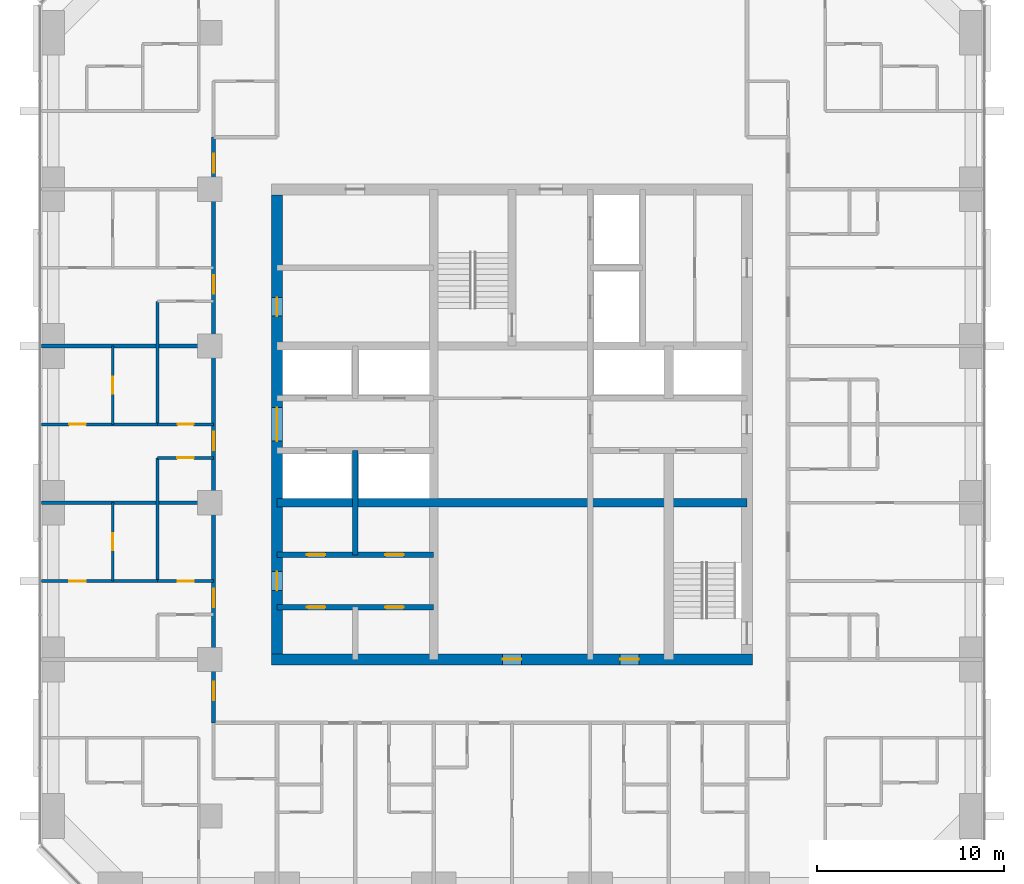
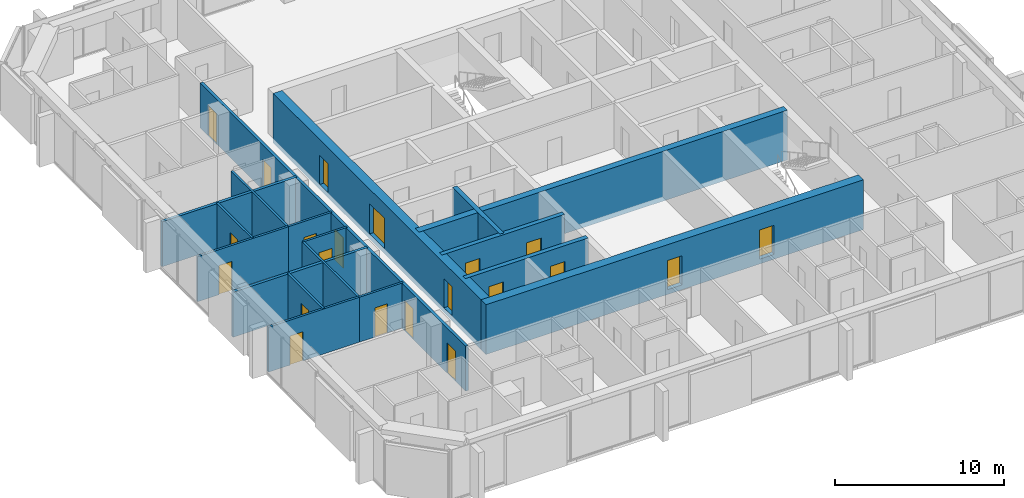
# One storey, part 9 of 14: 21 doors, 18 walls, 21 openings.
"""IFC4 building model written with IfcOpenShell, lengths in metres."""

from ifc_helpers import new_model, si_unit, direction, frame, frame_2d, origin, place, context, subcontext, project, spatial, rectangle, extrude, material, layer, layer_set, type_object, element, fill, save


model = new_model("IFC4")

# Units and contexts
model_context = context("Model", 3, precision=1e-05, world=origin(), true_north=direction((0.0, 1.0)))
body_context = subcontext(model_context, "Body", "Model", "MODEL_VIEW")
ifc_project = project(units=[si_unit("LENGTHUNIT", "METRE"), si_unit("AREAUNIT", "SQUARE_METRE"), si_unit("VOLUMEUNIT", "CUBIC_METRE"), si_unit("PLANEANGLEUNIT", "RADIAN"), si_unit("MASSUNIT", "GRAM", prefix="KILO")], contexts=[model_context])

# Site, building, storey
site_placement = place(None, origin())
site = spatial("IfcSite", under=ifc_project, at=site_placement, CompositionType="ELEMENT")
building_placement = place(site_placement, origin())
building = spatial("IfcBuilding", under=site, at=building_placement, Name="Dunama Terrace Hotel", CompositionType="ELEMENT")
storey_placement = place(building_placement, frame((0.0, 0.0, 198.60009765625)))
storey = spatial("IfcBuildingStorey", under=building, at=storey_placement, Name="L51", CompositionType="ELEMENT", Elevation=198.60009765625)

# Wall, opening, door
ifc_material_1 = material(Name="Gypsum board partition", Category="masonry")
ifc_layer_1 = layer(ifc_material_1, 0.14990234375)
ifc_layer_set_1 = layer_set([ifc_layer_1], Name="Bathroom partition 150")
wall_type_1 = type_object("IfcWallType", Name="Bathroom partition 150", PredefinedType="PARTITIONING", material=ifc_layer_set_1)
wall_1_placement = place(storey_placement, frame((10.39990234375, 21.0, 0.0), z_axis=(0.0, 0.0, 1.0), x_axis=(1.0, 0.0, 0.0)))
wall_1 = element("IfcWall", 1, at=wall_1_placement, inside=storey, type_object=wall_type_1, Name="Bathroom partition 150 L51", PredefinedType="PARTITIONING", context=body_context, shape_type="SweptSolid", body=[
    extrude(rectangle(XDim=3.0, YDim=0.14990234375, at=frame_2d((1.5, 0.0))), origin(), (0.0, 0.0, 1.0), 3.25),
])
opening_1_placement = place(wall_1_placement, frame((1.074951171875, 0.0, 0.0)))
opening_1 = element("IfcOpeningElement", 2, at=opening_1_placement, cuts=wall_1, Name="Opening L51-52-040", PredefinedType="OPENING", context=body_context, shape_type="SweptSolid", body=[
    extrude(rectangle(XDim=0.85009765625, YDim=2.10009765625, at=frame_2d((0.425048828125, 1.050048828125))), frame((0.0, 0.0849609375, 0.0), z_axis=(0.0, -1.0, 0.0), x_axis=(1.0, 0.0, 0.0)), (0.0, 0.0, 1.0), 0.169921875),
])
ifc_material_2 = material(Name="Timber door with steel frame", Category="steel")
door_type_1 = type_object("IfcDoorType", Name="Bathroom door 850", OperationType="SINGLE_SWING_LEFT", PredefinedType="DOOR", material=ifc_material_2)
door_1_placement = place(opening_1_placement, origin())
door_1 = element("IfcDoor", 3, at=door_1_placement, inside=storey, type_object=door_type_1, Name="Door to diplomatic residence bathroom L51-52-040, type D2", OperationType="SINGLE_SWING_RIGHT", OverallHeight=2.10009765625, OverallWidth=0.85009765625, PredefinedType="DOOR", context=body_context, shape_type="SweptSolid", body=[
    extrude(rectangle(XDim=0.85009765625, YDim=2.10009765625, at=frame_2d((0.425048828125, 1.050048828125))), frame((0.0, 0.02490234375, 0.0), z_axis=(0.0, -1.0, 0.0), x_axis=(1.0, 0.0, 0.0)), (0.0, 0.0, 1.0), 0.050048828125),
])
fill(opening_1, door_1)

wall_2_placement = place(storey_placement, frame((10.39990234375, 29.39990234375, 0.0), z_axis=(0.0, 0.0, 1.0), x_axis=(1.0, 0.0, 0.0)))
wall_2 = element("IfcWall", 4, at=wall_2_placement, inside=storey, type_object=wall_type_1, Name="Bathroom partition 150 L51", PredefinedType="PARTITIONING", context=body_context, shape_type="SweptSolid", body=[
    extrude(rectangle(XDim=3.0, YDim=0.14990234375, at=frame_2d((1.5, 0.0))), origin(), (0.0, 0.0, 1.0), 3.25),
])
opening_2_placement = place(wall_2_placement, frame((1.074951171875, 0.0, 0.0)))
opening_2 = element("IfcOpeningElement", 5, at=opening_2_placement, cuts=wall_2, Name="Opening L51-52-045", PredefinedType="OPENING", context=body_context, shape_type="SweptSolid", body=[
    extrude(rectangle(XDim=0.85009765625, YDim=2.10009765625, at=frame_2d((0.425048828125, 1.050048828125))), frame((0.0, 0.0849609375, 0.0), z_axis=(0.0, -1.0, 0.0), x_axis=(1.0, 0.0, 0.0)), (0.0, 0.0, 1.0), 0.169921875),
])
door_2_placement = place(opening_2_placement, origin())
door_2 = element("IfcDoor", 6, at=door_2_placement, inside=storey, type_object=door_type_1, Name="Door to diplomatic residence bathroom L51-52-045, type D2", OperationType="SINGLE_SWING_RIGHT", OverallHeight=2.10009765625, OverallWidth=0.85009765625, PredefinedType="DOOR", context=body_context, shape_type="SweptSolid", body=[
    extrude(rectangle(XDim=0.85009765625, YDim=2.10009765625, at=frame_2d((0.425048828125, 1.050048828125))), frame((0.0, 0.02490234375, 0.0), z_axis=(0.0, -1.0, 0.0), x_axis=(1.0, 0.0, 0.0)), (0.0, 0.0, 1.0), 0.050048828125),
])
fill(opening_2, door_2)

# Wall
ifc_material_3 = material(Name="Concrete C50/60", Category="concrete")
ifc_layer_2 = layer(ifc_material_3, 0.300048828125)
ifc_layer_set_2 = layer_set([ifc_layer_2], Name="Core inner wall 300")
wall_type_2 = type_object("IfcWallType", Name="Core inner wall 300", PredefinedType="SHEAR", material=ifc_layer_set_2)
wall_3_placement = place(storey_placement, frame((21.0, 22.39990234375, -0.35009765625), z_axis=(0.0, 0.0, 1.0), x_axis=(0.0, 1.0, 0.0)))
element("IfcWall", 7, at=wall_3_placement, inside=storey, type_object=wall_type_2, Name="Core inner wall 300 L51", PredefinedType="SHEAR", context=body_context, shape_type="SweptSolid", body=[
    extrude(rectangle(XDim=5.60009765625, YDim=0.300048828125, at=frame_2d((2.800048828125, 0.0))), origin(), (0.0, 0.0, 1.0), 3.60009765625),
])

# Wall, openings, doors
wall_4_placement = place(storey_placement, frame((16.800048828125, 19.60009765625, -0.35009765625), z_axis=(0.0, 0.0, 1.0), x_axis=(1.0, 0.0, 0.0)))
wall_4 = element("IfcWall", 8, at=wall_4_placement, inside=storey, type_object=wall_type_2, Name="Core inner wall 300 L51", PredefinedType="SHEAR", context=body_context, shape_type="SweptSolid", body=[
    extrude(rectangle(XDim=8.39990234375, YDim=0.300048828125, at=frame_2d((4.199951171875, 0.0))), origin(), (0.0, 0.0, 1.0), 3.60009765625),
])
opening_3_placement = place(wall_4_placement, frame((1.60009765625, 0.0, 0.35009765625)))
opening_3 = element("IfcOpeningElement", 9, at=opening_3_placement, cuts=wall_4, Name="Opening L51-52-074", PredefinedType="OPENING", context=body_context, shape_type="SweptSolid", body=[
    extrude(rectangle(XDim=1.0, YDim=2.10009765625, at=frame_2d((0.5, 1.050048828125))), frame((0.0, 0.159912109375, 0.0), z_axis=(0.0, -1.0, 0.0), x_axis=(1.0, 0.0, 0.0)), (0.0, 0.0, 1.0), 0.320068359375),
])
opening_4_placement = place(wall_4_placement, frame((5.800048828125, 0.0, 0.35009765625)))
opening_4 = element("IfcOpeningElement", 10, at=opening_4_placement, cuts=wall_4, Name="Opening L51-52-075", PredefinedType="OPENING", context=body_context, shape_type="SweptSolid", body=[
    extrude(rectangle(XDim=1.0, YDim=2.10009765625, at=frame_2d((0.5, 1.050048828125))), frame((0.0, 0.159912109375, 0.0), z_axis=(0.0, -1.0, 0.0), x_axis=(1.0, 0.0, 0.0)), (0.0, 0.0, 1.0), 0.320068359375),
])
ifc_material_4 = material(Name="Timber door with steel frame", Category="steel")
door_type_2 = type_object("IfcDoorType", Name="Service door 1000", OperationType="SINGLE_SWING_LEFT", PredefinedType="DOOR", material=ifc_material_4)
door_3_placement = place(opening_3_placement, frame((1.0, 0.0, 0.0), z_axis=(0.0, 0.0, 1.0), x_axis=(-1.0, 0.0, 0.0)))
door_3 = element("IfcDoor", 11, at=door_3_placement, inside=storey, type_object=door_type_2, Name="Door to service riser L51-52-074, type D7", OperationType="SINGLE_SWING_RIGHT", OverallHeight=2.10009765625, OverallWidth=1.0, PredefinedType="DOOR", context=body_context, shape_type="SweptSolid", body=[
    extrude(rectangle(XDim=1.0, YDim=2.10009765625, at=frame_2d((0.5, 1.050048828125))), frame((0.0, 0.025146484375, 0.0), z_axis=(0.0, -1.0, 0.0), x_axis=(1.0, 0.0, 0.0)), (0.0, 0.0, 1.0), 0.050048828125),
])
fill(opening_3, door_3)
door_4_placement = place(opening_4_placement, frame((1.0, 0.0, 0.0), z_axis=(0.0, 0.0, 1.0), x_axis=(-1.0, 0.0, 0.0)))
door_4 = element("IfcDoor", 12, at=door_4_placement, inside=storey, type_object=door_type_2, Name="Door to cleaners store L51-52-075, type D7", OperationType="SINGLE_SWING_LEFT", OverallHeight=2.10009765625, OverallWidth=1.0, PredefinedType="DOOR", context=body_context, shape_type="SweptSolid", body=[
    extrude(rectangle(XDim=1.0, YDim=2.10009765625, at=frame_2d((0.5, 1.050048828125))), frame((0.0, 0.025146484375, 0.0), z_axis=(0.0, -1.0, 0.0), x_axis=(1.0, 0.0, 0.0)), (0.0, 0.0, 1.0), 0.050048828125),
])
fill(opening_4, door_4)

wall_5_placement = place(storey_placement, frame((16.800048828125, 22.39990234375, -0.35009765625), z_axis=(0.0, 0.0, 1.0), x_axis=(1.0, 0.0, 0.0)))
wall_5 = element("IfcWall", 13, at=wall_5_placement, inside=storey, type_object=wall_type_2, Name="Core inner wall 300 L51", PredefinedType="SHEAR", context=body_context, shape_type="SweptSolid", body=[
    extrude(rectangle(XDim=8.39990234375, YDim=0.300048828125, at=frame_2d((4.199951171875, 0.0))), origin(), (0.0, 0.0, 1.0), 3.60009765625),
])
opening_5_placement = place(wall_5_placement, frame((1.60009765625, 0.0, 0.35009765625)))
opening_5 = element("IfcOpeningElement", 14, at=opening_5_placement, cuts=wall_5, Name="Opening L51-52-076", PredefinedType="OPENING", context=body_context, shape_type="SweptSolid", body=[
    extrude(rectangle(XDim=1.0, YDim=2.10009765625, at=frame_2d((0.5, 1.050048828125))), frame((0.0, 0.159912109375, 0.0), z_axis=(0.0, -1.0, 0.0), x_axis=(1.0, 0.0, 0.0)), (0.0, 0.0, 1.0), 0.320068359375),
])
opening_6_placement = place(wall_5_placement, frame((5.800048828125, 0.0, 0.35009765625)))
opening_6 = element("IfcOpeningElement", 15, at=opening_6_placement, cuts=wall_5, Name="Opening L51-52-077", PredefinedType="OPENING", context=body_context, shape_type="SweptSolid", body=[
    extrude(rectangle(XDim=1.0, YDim=2.10009765625, at=frame_2d((0.5, 1.050048828125))), frame((0.0, 0.159912109375, 0.0), z_axis=(0.0, -1.0, 0.0), x_axis=(1.0, 0.0, 0.0)), (0.0, 0.0, 1.0), 0.320068359375),
])
door_5_placement = place(opening_5_placement, origin())
door_5 = element("IfcDoor", 16, at=door_5_placement, inside=storey, type_object=door_type_2, Name="Door to it room L51-52-076, type D7", OperationType="SINGLE_SWING_LEFT", OverallHeight=2.10009765625, OverallWidth=1.0, PredefinedType="DOOR", context=body_context, shape_type="SweptSolid", body=[
    extrude(rectangle(XDim=1.0, YDim=2.10009765625, at=frame_2d((0.5, 1.050048828125))), frame((0.0, 0.02490234375, 0.0), z_axis=(0.0, -1.0, 0.0), x_axis=(1.0, 0.0, 0.0)), (0.0, 0.0, 1.0), 0.050048828125),
])
fill(opening_5, door_5)
door_6_placement = place(opening_6_placement, origin())
door_6 = element("IfcDoor", 17, at=door_6_placement, inside=storey, type_object=door_type_2, Name="Door to staff accessible wc L51-52-077, type D7", OperationType="SINGLE_SWING_RIGHT", OverallHeight=2.10009765625, OverallWidth=1.0, PredefinedType="DOOR", context=body_context, shape_type="SweptSolid", body=[
    extrude(rectangle(XDim=1.0, YDim=2.10009765625, at=frame_2d((0.5, 1.050048828125))), frame((0.0, 0.02490234375, 0.0), z_axis=(0.0, -1.0, 0.0), x_axis=(1.0, 0.0, 0.0)), (0.0, 0.0, 1.0), 0.050048828125),
])
fill(opening_6, door_6)

# Wall
ifc_material_5 = material(Name="Concrete C50/60", Category="concrete")
ifc_layer_3 = layer(ifc_material_5, 0.449951171875)
ifc_layer_set_3 = layer_set([ifc_layer_3], Name="Core inner wall 450")
wall_type_3 = type_object("IfcWallType", Name="Core inner wall 450", PredefinedType="SHEAR", material=ifc_layer_set_3)
wall_6_placement = place(storey_placement, frame((16.800048828125, 25.199951171875, -0.35009765625), z_axis=(0.0, 0.0, 1.0), x_axis=(1.0, 0.0, 0.0)))
element("IfcWall", 18, at=wall_6_placement, inside=storey, type_object=wall_type_3, Name="Core inner wall 450 L51", PredefinedType="SHEAR", context=body_context, shape_type="SweptSolid", body=[
    extrude(rectangle(XDim=25.199951171875, YDim=0.449951171875, at=frame_2d((12.60009765625, 0.0))), origin(), (0.0, 0.0, 1.0), 3.60009765625),
])

# Wall, openings, doors
ifc_material_6 = material(Name="Concrete C50/60", Category="concrete")
ifc_layer_4 = layer(ifc_material_6, 0.60009765625)
ifc_layer_set_4 = layer_set([ifc_layer_4], Name="Core wall 600")
wall_type_4 = type_object("IfcWallType", Name="Core wall 600", PredefinedType="SHEAR", material=ifc_layer_set_4)
wall_7_placement = place(storey_placement, frame((16.5, 16.800048828125, -0.35009765625), z_axis=(0.0, 0.0, 1.0), x_axis=(1.0, 0.0, 0.0)))
wall_7 = element("IfcWall", 19, at=wall_7_placement, inside=storey, type_object=wall_type_4, Name="Core wall south L51", PredefinedType="SHEAR", context=body_context, shape_type="SweptSolid", body=[
    extrude(rectangle(XDim=25.800048828125, YDim=0.60009765625, at=frame_2d((12.89990234375, 0.0))), origin(), (0.0, 0.0, 1.0), 3.60009765625),
])
opening_7_placement = place(wall_7_placement, frame((12.39990234375, 0.0, 0.35009765625)))
opening_7 = element("IfcOpeningElement", 20, at=opening_7_placement, cuts=wall_7, Name="Opening L51-52-089", PredefinedType="OPENING", context=body_context, shape_type="SweptSolid", body=[
    extrude(rectangle(XDim=1.0, YDim=2.10009765625, at=frame_2d((0.5, 1.050048828125))), frame((0.0, 0.31005859375, 0.0), z_axis=(0.0, -1.0, 0.0), x_axis=(1.0, 0.0, 0.0)), (0.0, 0.0, 1.0), 0.6201171875),
])
opening_8_placement = place(wall_7_placement, frame((18.699951171875, 0.0, 0.35009765625)))
opening_8 = element("IfcOpeningElement", 21, at=opening_8_placement, cuts=wall_7, Name="Opening L51-52-090", PredefinedType="OPENING", context=body_context, shape_type="SweptSolid", body=[
    extrude(rectangle(XDim=1.0, YDim=2.10009765625, at=frame_2d((0.5, 1.050048828125))), frame((0.0, 0.31005859375, 0.0), z_axis=(0.0, -1.0, 0.0), x_axis=(1.0, 0.0, 0.0)), (0.0, 0.0, 1.0), 0.6201171875),
])
door_7_placement = place(opening_7_placement, origin())
door_7 = element("IfcDoor", 22, at=door_7_placement, inside=storey, type_object=door_type_2, Name="Door to corridor air handling room L51-52-089, type D7", OperationType="SINGLE_SWING_LEFT", OverallHeight=2.10009765625, OverallWidth=1.0, PredefinedType="DOOR", context=body_context, shape_type="SweptSolid", body=[
    extrude(rectangle(XDim=1.0, YDim=2.10009765625, at=frame_2d((0.5, 1.050048828125))), frame((0.0, 0.02490234375, 0.0), z_axis=(0.0, -1.0, 0.0), x_axis=(1.0, 0.0, 0.0)), (0.0, 0.0, 1.0), 0.050048828125),
])
fill(opening_7, door_7)
door_8_placement = place(opening_8_placement, origin())
door_8 = element("IfcDoor", 23, at=door_8_placement, inside=storey, type_object=door_type_2, Name="Door to water riser room L51-52-090, type D7", OperationType="SINGLE_SWING_RIGHT", OverallHeight=2.10009765625, OverallWidth=1.0, PredefinedType="DOOR", context=body_context, shape_type="SweptSolid", body=[
    extrude(rectangle(XDim=1.0, YDim=2.10009765625, at=frame_2d((0.5, 1.050048828125))), frame((0.0, 0.02490234375, 0.0), z_axis=(0.0, -1.0, 0.0), x_axis=(1.0, 0.0, 0.0)), (0.0, 0.0, 1.0), 0.050048828125),
])
fill(opening_8, door_8)

wall_8_placement = place(storey_placement, frame((16.800048828125, 41.699951171875, -0.35009765625), z_axis=(0.0, 0.0, 1.0), x_axis=(0.0, -1.0, 0.0)))
wall_8 = element("IfcWall", 24, at=wall_8_placement, inside=storey, type_object=wall_type_4, Name="Core wall west L51", PredefinedType="SHEAR", context=body_context, shape_type="SweptSolid", body=[
    extrude(rectangle(XDim=24.599853515625, YDim=0.60009765625, at=frame_2d((12.2998046875, 0.0))), origin(), (0.0, 0.0, 1.0), 3.60009765625),
])
opening_9_placement = place(wall_8_placement, frame((11.39990234375, 0.0, 0.35009765625)))
opening_9 = element("IfcOpeningElement", 25, at=opening_9_placement, cuts=wall_8, Name="Opening L51-52-073", PredefinedType="OPENING", context=body_context, shape_type="SweptSolid", body=[
    extrude(rectangle(XDim=1.800048828125, YDim=2.199951171875, at=frame_2d((0.89990234375, 1.10009765625))), frame((0.0, 0.31005859375, 0.0), z_axis=(0.0, -1.0, 0.0), x_axis=(1.0, 0.0, 0.0)), (0.0, 0.0, 1.0), 0.6201171875),
])
opening_10_placement = place(wall_8_placement, frame((20.199951171875, 0.0, 0.35009765625)))
opening_10 = element("IfcOpeningElement", 26, at=opening_10_placement, cuts=wall_8, Name="Opening L51-52-078", PredefinedType="OPENING", context=body_context, shape_type="SweptSolid", body=[
    extrude(rectangle(XDim=1.0, YDim=2.10009765625, at=frame_2d((0.5, 1.050048828125))), frame((0.0, 0.31005859375, 0.0), z_axis=(0.0, -1.0, 0.0), x_axis=(1.0, 0.0, 0.0)), (0.0, 0.0, 1.0), 0.6201171875),
])
opening_11_placement = place(wall_8_placement, frame((5.5, 0.0, 0.35009765625)))
opening_11 = element("IfcOpeningElement", 27, at=opening_11_placement, cuts=wall_8, Name="Opening L51-52-079", PredefinedType="OPENING", context=body_context, shape_type="SweptSolid", body=[
    extrude(rectangle(XDim=1.0, YDim=2.10009765625, at=frame_2d((0.5, 1.050048828125))), frame((0.0, 0.31005859375, 0.0), z_axis=(0.0, -1.0, 0.0), x_axis=(1.0, 0.0, 0.0)), (0.0, 0.0, 1.0), 0.6201171875),
])
ifc_material_7 = material(Name="Timber door with steel frame", Category="steel")
door_type_3 = type_object("IfcDoorType", Name="Lift lobby double door 1800", OperationType="DOUBLE_DOOR_DOUBLE_SWING", PredefinedType="DOOR", material=ifc_material_7)
door_9_placement = place(opening_9_placement, origin())
door_9 = element("IfcDoor", 28, at=door_9_placement, inside=storey, type_object=door_type_3, Name="Door to lift lobby L51-52-073, type D3", OperationType="DOUBLE_DOOR_DOUBLE_SWING", OverallHeight=2.199951171875, OverallWidth=1.800048828125, PredefinedType="DOOR", context=body_context, shape_type="SweptSolid", body=[
    extrude(rectangle(XDim=1.800048828125, YDim=2.199951171875, at=frame_2d((0.89990234375, 1.10009765625))), frame((0.0, 0.02490234375, 0.0), z_axis=(0.0, -1.0, 0.0), x_axis=(1.0, 0.0, 0.0)), (0.0, 0.0, 1.0), 0.050048828125),
])
fill(opening_9, door_9)
door_10_placement = place(opening_10_placement, origin())
door_10 = element("IfcDoor", 29, at=door_10_placement, inside=storey, type_object=door_type_2, Name="Door to back-of-house lobby L51-52-078, type D7", OperationType="SINGLE_SWING_LEFT", OverallHeight=2.10009765625, OverallWidth=1.0, PredefinedType="DOOR", context=body_context, shape_type="SweptSolid", body=[
    extrude(rectangle(XDim=1.0, YDim=2.10009765625, at=frame_2d((0.5, 1.050048828125))), frame((0.0, 0.02490234375, 0.0), z_axis=(0.0, -1.0, 0.0), x_axis=(1.0, 0.0, 0.0)), (0.0, 0.0, 1.0), 0.050048828125),
])
fill(opening_10, door_10)
door_11_placement = place(opening_11_placement, origin())
door_11 = element("IfcDoor", 30, at=door_11_placement, inside=storey, type_object=door_type_2, Name="Door to electrical room L51-52-079, type D7", OperationType="SINGLE_SWING_RIGHT", OverallHeight=2.10009765625, OverallWidth=1.0, PredefinedType="DOOR", context=body_context, shape_type="SweptSolid", body=[
    extrude(rectangle(XDim=1.0, YDim=2.10009765625, at=frame_2d((0.5, 1.050048828125))), frame((0.0, 0.02490234375, 0.0), z_axis=(0.0, -1.0, 0.0), x_axis=(1.0, 0.0, 0.0)), (0.0, 0.0, 1.0), 0.050048828125),
])
fill(opening_11, door_11)

ifc_material_8 = material(Name="Concrete blockwork", Category="masonry")
ifc_layer_5 = layer(ifc_material_8, 0.199951171875)
ifc_layer_set_5 = layer_set([ifc_layer_5], Name="Corridor partition 200")
wall_type_5 = type_object("IfcWallType", Name="Corridor partition 200", PredefinedType="PARTITIONING", material=ifc_layer_set_5)
wall_9_placement = place(storey_placement, frame((13.39990234375, 13.39990234375, 0.0), z_axis=(0.0, 0.0, 1.0), x_axis=(0.0, 1.0, 0.0)))
wall_9 = element("IfcWall", 31, at=wall_9_placement, inside=storey, type_object=wall_type_5, Name="Corridor partition 200 L51", PredefinedType="PARTITIONING", context=body_context, shape_type="SweptSolid", body=[
    extrude(rectangle(XDim=31.400146484375, YDim=0.199951171875, at=frame_2d((15.7001953125, 0.0))), origin(), (0.0, 0.0, 1.0), 3.25),
])
opening_12_placement = place(wall_9_placement, frame((6.199951171875, 0.0, 0.0)))
opening_12 = element("IfcOpeningElement", 32, at=opening_12_placement, cuts=wall_9, Name="Opening L51-52-038", PredefinedType="OPENING", context=body_context, shape_type="SweptSolid", body=[
    extrude(rectangle(XDim=1.0, YDim=2.199951171875, at=frame_2d((0.5, 1.10009765625))), frame((0.0, 0.10986328125, 0.0), z_axis=(0.0, -1.0, 0.0), x_axis=(1.0, 0.0, 0.0)), (0.0, 0.0, 1.0), 0.219970703125),
])
opening_13_placement = place(wall_9_placement, frame((14.60009765625, 0.0, 0.0)))
opening_13 = element("IfcOpeningElement", 33, at=opening_13_placement, cuts=wall_9, Name="Opening L51-52-043", PredefinedType="OPENING", context=body_context, shape_type="SweptSolid", body=[
    extrude(rectangle(XDim=1.0, YDim=2.199951171875, at=frame_2d((0.5, 1.10009765625))), frame((0.0, 0.10986328125, 0.0), z_axis=(0.0, -1.0, 0.0), x_axis=(1.0, 0.0, 0.0)), (0.0, 0.0, 1.0), 0.219970703125),
])
opening_14_placement = place(wall_9_placement, frame((23.0, 0.0, 0.0)))
opening_14 = element("IfcOpeningElement", 34, at=opening_14_placement, cuts=wall_9, Name="Opening L51-52-048", PredefinedType="OPENING", context=body_context, shape_type="SweptSolid", body=[
    extrude(rectangle(XDim=1.0, YDim=2.199951171875, at=frame_2d((0.5, 1.10009765625))), frame((0.0, 0.10986328125, 0.0), z_axis=(0.0, -1.0, 0.0), x_axis=(1.0, 0.0, 0.0)), (0.0, 0.0, 1.0), 0.219970703125),
])
opening_15_placement = place(wall_9_placement, frame((1.199951171875, 0.0, 0.0)))
opening_15 = element("IfcOpeningElement", 35, at=opening_15_placement, cuts=wall_9, Name="Opening L51-52-053", PredefinedType="OPENING", context=body_context, shape_type="SweptSolid", body=[
    extrude(rectangle(XDim=1.0, YDim=2.199951171875, at=frame_2d((0.5, 1.10009765625))), frame((0.0, 0.10986328125, 0.0), z_axis=(0.0, -1.0, 0.0), x_axis=(1.0, 0.0, 0.0)), (0.0, 0.0, 1.0), 0.219970703125),
])
opening_16_placement = place(wall_9_placement, frame((29.5, 0.0, 0.0)))
opening_16 = element("IfcOpeningElement", 36, at=opening_16_placement, cuts=wall_9, Name="Opening L51-52-068", PredefinedType="OPENING", context=body_context, shape_type="SweptSolid", body=[
    extrude(rectangle(XDim=1.0, YDim=2.199951171875, at=frame_2d((0.5, 1.10009765625))), frame((0.0, 0.10986328125, 0.0), z_axis=(0.0, -1.0, 0.0), x_axis=(1.0, 0.0, 0.0)), (0.0, 0.0, 1.0), 0.219970703125),
])
ifc_material_9 = material(Name="Timber door with steel frame", Category="steel")
door_type_4 = type_object("IfcDoorType", Name="Guest room door 1000", OperationType="SINGLE_SWING_LEFT", PredefinedType="DOOR", material=ifc_material_9)
door_12_placement = place(opening_12_placement, origin())
door_12 = element("IfcDoor", 37, at=door_12_placement, inside=storey, type_object=door_type_4, Name="Door to diplomatic residence living room L51-52-038, type D1", OperationType="SINGLE_SWING_RIGHT", OverallHeight=2.199951171875, OverallWidth=1.0, PredefinedType="DOOR", context=body_context, shape_type="SweptSolid", body=[
    extrude(rectangle(XDim=1.0, YDim=2.199951171875, at=frame_2d((0.5, 1.10009765625))), frame((0.0, 0.02490234375, 0.0), z_axis=(0.0, -1.0, 0.0), x_axis=(1.0, 0.0, 0.0)), (0.0, 0.0, 1.0), 0.050048828125),
])
fill(opening_12, door_12)
door_13_placement = place(opening_13_placement, origin())
door_13 = element("IfcDoor", 38, at=door_13_placement, inside=storey, type_object=door_type_4, Name="Door to diplomatic residence living room L51-52-043, type D1", OperationType="SINGLE_SWING_LEFT", OverallHeight=2.199951171875, OverallWidth=1.0, PredefinedType="DOOR", context=body_context, shape_type="SweptSolid", body=[
    extrude(rectangle(XDim=1.0, YDim=2.199951171875, at=frame_2d((0.5, 1.10009765625))), frame((0.0, 0.02490234375, 0.0), z_axis=(0.0, -1.0, 0.0), x_axis=(1.0, 0.0, 0.0)), (0.0, 0.0, 1.0), 0.050048828125),
])
fill(opening_13, door_13)
door_14_placement = place(opening_14_placement, origin())
door_14 = element("IfcDoor", 39, at=door_14_placement, inside=storey, type_object=door_type_4, Name="Door to diplomatic residence living room L51-52-048, type D1", OperationType="SINGLE_SWING_LEFT", OverallHeight=2.199951171875, OverallWidth=1.0, PredefinedType="DOOR", context=body_context, shape_type="SweptSolid", body=[
    extrude(rectangle(XDim=1.0, YDim=2.199951171875, at=frame_2d((0.5, 1.10009765625))), frame((0.0, 0.02490234375, 0.0), z_axis=(0.0, -1.0, 0.0), x_axis=(1.0, 0.0, 0.0)), (0.0, 0.0, 1.0), 0.050048828125),
])
fill(opening_14, door_14)
door_15_placement = place(opening_15_placement, origin())
door_15 = element("IfcDoor", 40, at=door_15_placement, inside=storey, type_object=door_type_4, Name="Door to corner suite living room L51-52-053, type D1", OperationType="SINGLE_SWING_RIGHT", OverallHeight=2.199951171875, OverallWidth=1.0, PredefinedType="DOOR", context=body_context, shape_type="SweptSolid", body=[
    extrude(rectangle(XDim=1.0, YDim=2.199951171875, at=frame_2d((0.5, 1.10009765625))), frame((0.0, 0.02490234375, 0.0), z_axis=(0.0, -1.0, 0.0), x_axis=(1.0, 0.0, 0.0)), (0.0, 0.0, 1.0), 0.050048828125),
])
fill(opening_15, door_15)
door_16_placement = place(opening_16_placement, origin())
door_16 = element("IfcDoor", 41, at=door_16_placement, inside=storey, type_object=door_type_4, Name="Door to corner suite living room L51-52-068, type D1", OperationType="SINGLE_SWING_LEFT", OverallHeight=2.199951171875, OverallWidth=1.0, PredefinedType="DOOR", context=body_context, shape_type="SweptSolid", body=[
    extrude(rectangle(XDim=1.0, YDim=2.199951171875, at=frame_2d((0.5, 1.10009765625))), frame((0.0, 0.02490234375, 0.0), z_axis=(0.0, -1.0, 0.0), x_axis=(1.0, 0.0, 0.0)), (0.0, 0.0, 1.0), 0.050048828125),
])
fill(opening_16, door_16)

# Walls
ifc_material_10 = material(Name="Concrete blockwork", Category="masonry")
ifc_layer_6 = layer(ifc_material_10, 0.199951171875)
ifc_layer_set_6 = layer_set([ifc_layer_6], Name="Party wall 200")
wall_type_6 = type_object("IfcWallType", Name="Party wall 200", PredefinedType="PARTITIONING", material=ifc_layer_set_6)
for number, where, z_axis, x_axis, name in (
    (42, (4.181884765625, 25.199951171875, 0.0), (0.0, 0.0, 1.0), (1.0, 0.0, 0.0), "Party wall 200 L51"),
    (43, (4.181884765625, 33.60009765625, 0.0), (0.0, 0.0, 1.0), (1.0, 0.0, 0.0), "Party wall 200 L51"),
):
    element("IfcWall", number, at=place(storey_placement, frame(where, z_axis=z_axis, x_axis=x_axis)), inside=storey, type_object=wall_type_6, Name=name, PredefinedType="PARTITIONING", context=body_context, shape_type="SweptSolid", body=[
        extrude(rectangle(XDim=9.218017578125, YDim=0.199951171875, at=frame_2d((4.60888671875, 0.0))), origin(), (0.0, 0.0, 1.0), 3.25),
    ])

# Wall, opening, door
ifc_material_11 = material(Name="Gypsum board partition", Category="masonry")
ifc_layer_7 = layer(ifc_material_11, 0.14990234375)
ifc_layer_set_7 = layer_set([ifc_layer_7], Name="Room partition 150")
wall_type_7 = type_object("IfcWallType", Name="Room partition 150", PredefinedType="PARTITIONING", material=ifc_layer_set_7)
wall_10_placement = place(storey_placement, frame((8.0, 21.0, 0.0), z_axis=(0.0, 0.0, 1.0), x_axis=(0.0, 1.0, 0.0)))
wall_10 = element("IfcWall", 44, at=wall_10_placement, inside=storey, type_object=wall_type_7, Name="Room partition 150 L51", PredefinedType="PARTITIONING", context=body_context, shape_type="SweptSolid", body=[
    extrude(rectangle(XDim=4.199951171875, YDim=0.14990234375, at=frame_2d((2.10009765625, 0.0))), origin(), (0.0, 0.0, 1.0), 3.25),
])
opening_17_placement = place(wall_10_placement, frame((1.64990234375, 0.0, 0.0)))
opening_17 = element("IfcOpeningElement", 45, at=opening_17_placement, cuts=wall_10, Name="Opening L51-52-041", PredefinedType="OPENING", context=body_context, shape_type="SweptSolid", body=[
    extrude(rectangle(XDim=0.89990234375, YDim=2.10009765625, at=frame_2d((0.449951171875, 1.050048828125))), frame((0.0, 0.0849609375, 0.0), z_axis=(0.0, -1.0, 0.0), x_axis=(1.0, 0.0, 0.0)), (0.0, 0.0, 1.0), 0.169921875),
])
ifc_material_12 = material(Name="Timber door with steel frame", Category="steel")
door_type_5 = type_object("IfcDoorType", Name="Suite internal door 900", OperationType="SINGLE_SWING_LEFT", PredefinedType="DOOR", material=ifc_material_12)
door_17_placement = place(opening_17_placement, frame((0.89990234375, 0.0, 0.0), z_axis=(0.0, 0.0, 1.0), x_axis=(-1.0, 0.0, 0.0)))
door_17 = element("IfcDoor", 46, at=door_17_placement, inside=storey, type_object=door_type_5, Name="Door to walk-in wardrobe L51-52-041, type D16", OperationType="SINGLE_SWING_RIGHT", OverallHeight=2.10009765625, OverallWidth=0.89990234375, PredefinedType="DOOR", context=body_context, shape_type="SweptSolid", body=[
    extrude(rectangle(XDim=0.89990234375, YDim=2.10009765625, at=frame_2d((0.449951171875, 1.050048828125))), frame((0.0, 0.025146484375, 0.0), z_axis=(0.0, -1.0, 0.0), x_axis=(1.0, 0.0, 0.0)), (0.0, 0.0, 1.0), 0.050048828125),
])
fill(opening_17, door_17)

wall_11_placement = place(storey_placement, frame((8.0, 29.39990234375, 0.0), z_axis=(0.0, 0.0, 1.0), x_axis=(0.0, 1.0, 0.0)))
wall_11 = element("IfcWall", 47, at=wall_11_placement, inside=storey, type_object=wall_type_7, Name="Room partition 150 L51", PredefinedType="PARTITIONING", context=body_context, shape_type="SweptSolid", body=[
    extrude(rectangle(XDim=4.2001953125, YDim=0.14990234375, at=frame_2d((2.10009765625, 0.0))), origin(), (0.0, 0.0, 1.0), 3.25),
])
opening_18_placement = place(wall_11_placement, frame((1.64990234375, 0.0, 0.0)))
opening_18 = element("IfcOpeningElement", 48, at=opening_18_placement, cuts=wall_11, Name="Opening L51-52-046", PredefinedType="OPENING", context=body_context, shape_type="SweptSolid", body=[
    extrude(rectangle(XDim=0.89990234375, YDim=2.10009765625, at=frame_2d((0.449951171875, 1.050048828125))), frame((0.0, 0.0849609375, 0.0), z_axis=(0.0, -1.0, 0.0), x_axis=(1.0, 0.0, 0.0)), (0.0, 0.0, 1.0), 0.169921875),
])
door_18_placement = place(opening_18_placement, frame((0.89990234375, 0.0, 0.0), z_axis=(0.0, 0.0, 1.0), x_axis=(-1.0, 0.0, 0.0)))
door_18 = element("IfcDoor", 49, at=door_18_placement, inside=storey, type_object=door_type_5, Name="Door to walk-in wardrobe L51-52-046, type D16", OperationType="SINGLE_SWING_RIGHT", OverallHeight=2.10009765625, OverallWidth=0.89990234375, PredefinedType="DOOR", context=body_context, shape_type="SweptSolid", body=[
    extrude(rectangle(XDim=0.89990234375, YDim=2.10009765625, at=frame_2d((0.449951171875, 1.050048828125))), frame((0.0, 0.025146484375, 0.0), z_axis=(0.0, -1.0, 0.0), x_axis=(1.0, 0.0, 0.0)), (0.0, 0.0, 1.0), 0.050048828125),
])
fill(opening_18, door_18)

# Walls
for number, where, z_axis, x_axis, name in (
    (50, (10.39990234375, 21.0, 0.0), (0.0, 0.0, 1.0), (0.0, 1.0, 0.0), "Room partition 150 L51"),
    (51, (10.39990234375, 29.39990234375, 0.0), (0.0, 0.0, 1.0), (0.0, 1.0, 0.0), "Room partition 150 L51"),
):
    element("IfcWall", number, at=place(storey_placement, frame(where, z_axis=z_axis, x_axis=x_axis)), inside=storey, type_object=wall_type_7, Name=name, PredefinedType="PARTITIONING", context=body_context, shape_type="SweptSolid", body=[
        extrude(rectangle(XDim=6.60009765625, YDim=0.14990234375, at=frame_2d((3.300048828125, 0.0))), origin(), (0.0, 0.0, 1.0), 3.25),
    ])

# Wall, opening, door
wall_12_placement = place(storey_placement, frame((4.181884765625, 21.0, 0.0), z_axis=(0.0, 0.0, 1.0), x_axis=(1.0, 0.0, 0.0)))
wall_12 = element("IfcWall", 52, at=wall_12_placement, inside=storey, type_object=wall_type_7, Name="Room partition 150 L51", PredefinedType="PARTITIONING", context=body_context, shape_type="SweptSolid", body=[
    extrude(rectangle(XDim=6.218017578125, YDim=0.14990234375, at=frame_2d((3.10888671875, 0.0))), origin(), (0.0, 0.0, 1.0), 3.25),
])
opening_19_placement = place(wall_12_placement, frame((1.468017578125, 0.0, 0.0)))
opening_19 = element("IfcOpeningElement", 53, at=opening_19_placement, cuts=wall_12, Name="Opening L51-52-042", PredefinedType="OPENING", context=body_context, shape_type="SweptSolid", body=[
    extrude(rectangle(XDim=0.89990234375, YDim=2.10009765625, at=frame_2d((0.449951171875, 1.050048828125))), frame((0.0, 0.0849609375, 0.0), z_axis=(0.0, -1.0, 0.0), x_axis=(1.0, 0.0, 0.0)), (0.0, 0.0, 1.0), 0.169921875),
])
door_19_placement = place(opening_19_placement, origin())
door_19 = element("IfcDoor", 54, at=door_19_placement, inside=storey, type_object=door_type_5, Name="Door to diplomatic residence bedroom L51-52-042, type D16", OperationType="SINGLE_SWING_RIGHT", OverallHeight=2.10009765625, OverallWidth=0.89990234375, PredefinedType="DOOR", context=body_context, shape_type="SweptSolid", body=[
    extrude(rectangle(XDim=0.89990234375, YDim=2.10009765625, at=frame_2d((0.449951171875, 1.050048828125))), frame((0.0, 0.02490234375, 0.0), z_axis=(0.0, -1.0, 0.0), x_axis=(1.0, 0.0, 0.0)), (0.0, 0.0, 1.0), 0.050048828125),
])
fill(opening_19, door_19)

wall_13_placement = place(storey_placement, frame((10.39990234375, 27.60009765625, 0.0), z_axis=(0.0, 0.0, 1.0), x_axis=(1.0, 0.0, 0.0)))
wall_13 = element("IfcWall", 55, at=wall_13_placement, inside=storey, type_object=wall_type_7, Name="Room partition 150 L51", PredefinedType="PARTITIONING", context=body_context, shape_type="SweptSolid", body=[
    extrude(rectangle(XDim=3.0, YDim=0.14990234375, at=frame_2d((1.5, 0.0))), origin(), (0.0, 0.0, 1.0), 3.25),
])
opening_20_placement = place(wall_13_placement, frame((1.050048828125, 0.0, 0.0)))
opening_20 = element("IfcOpeningElement", 56, at=opening_20_placement, cuts=wall_13, Name="Opening L51-52-044", PredefinedType="OPENING", context=body_context, shape_type="SweptSolid", body=[
    extrude(rectangle(XDim=0.89990234375, YDim=2.10009765625, at=frame_2d((0.449951171875, 1.050048828125))), frame((0.0, 0.0849609375, 0.0), z_axis=(0.0, -1.0, 0.0), x_axis=(1.0, 0.0, 0.0)), (0.0, 0.0, 1.0), 0.169921875),
])
door_20_placement = place(opening_20_placement, frame((0.89990234375, 0.0, 0.0), z_axis=(0.0, 0.0, 1.0), x_axis=(-1.0, 0.0, 0.0)))
door_20 = element("IfcDoor", 57, at=door_20_placement, inside=storey, type_object=door_type_5, Name="Door to diplomatic residence kitchen L51-52-044, type D16", OperationType="SINGLE_SWING_LEFT", OverallHeight=2.10009765625, OverallWidth=0.89990234375, PredefinedType="DOOR", context=body_context, shape_type="SweptSolid", body=[
    extrude(rectangle(XDim=0.89990234375, YDim=2.10009765625, at=frame_2d((0.449951171875, 1.050048828125))), frame((0.0, 0.025146484375, 0.0), z_axis=(0.0, -1.0, 0.0), x_axis=(1.0, 0.0, 0.0)), (0.0, 0.0, 1.0), 0.050048828125),
])
fill(opening_20, door_20)

wall_14_placement = place(storey_placement, frame((4.181884765625, 29.39990234375, 0.0), z_axis=(0.0, 0.0, 1.0), x_axis=(1.0, 0.0, 0.0)))
wall_14 = element("IfcWall", 58, at=wall_14_placement, inside=storey, type_object=wall_type_7, Name="Room partition 150 L51", PredefinedType="PARTITIONING", context=body_context, shape_type="SweptSolid", body=[
    extrude(rectangle(XDim=6.218017578125, YDim=0.14990234375, at=frame_2d((3.10888671875, 0.0))), origin(), (0.0, 0.0, 1.0), 3.25),
])
opening_21_placement = place(wall_14_placement, frame((1.468017578125, 0.0, 0.0)))
opening_21 = element("IfcOpeningElement", 59, at=opening_21_placement, cuts=wall_14, Name="Opening L51-52-047", PredefinedType="OPENING", context=body_context, shape_type="SweptSolid", body=[
    extrude(rectangle(XDim=0.89990234375, YDim=2.10009765625, at=frame_2d((0.449951171875, 1.050048828125))), frame((0.0, 0.0849609375, 0.0), z_axis=(0.0, -1.0, 0.0), x_axis=(1.0, 0.0, 0.0)), (0.0, 0.0, 1.0), 0.169921875),
])
door_21_placement = place(opening_21_placement, origin())
door_21 = element("IfcDoor", 60, at=door_21_placement, inside=storey, type_object=door_type_5, Name="Door to diplomatic residence bedroom L51-52-047, type D16", OperationType="SINGLE_SWING_RIGHT", OverallHeight=2.10009765625, OverallWidth=0.89990234375, PredefinedType="DOOR", context=body_context, shape_type="SweptSolid", body=[
    extrude(rectangle(XDim=0.89990234375, YDim=2.10009765625, at=frame_2d((0.449951171875, 1.050048828125))), frame((0.0, 0.02490234375, 0.0), z_axis=(0.0, -1.0, 0.0), x_axis=(1.0, 0.0, 0.0)), (0.0, 0.0, 1.0), 0.050048828125),
])
fill(opening_21, door_21)

save(model, "model.ifc")
